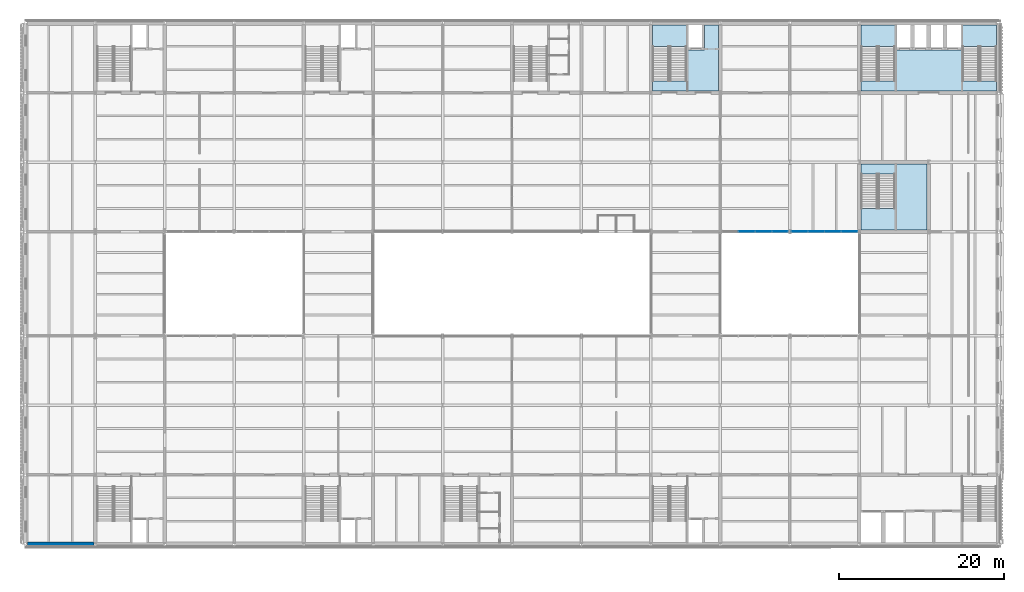
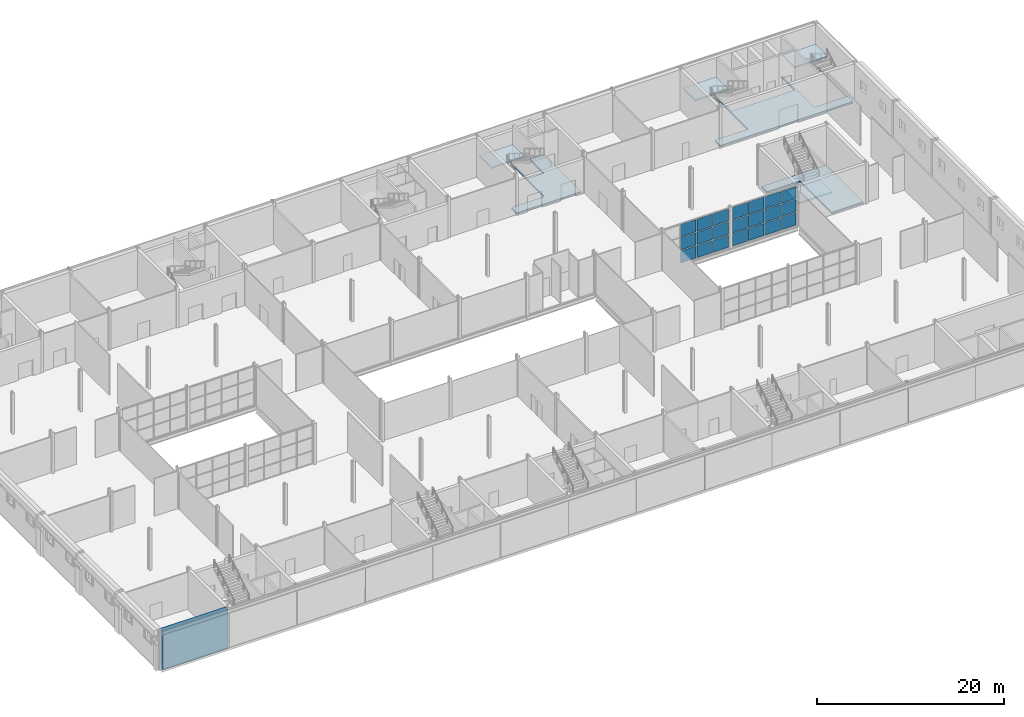
# One storey, part 27 of 57: 21 plates, 7 slabs, 1 wall, 6 elements without a shape of their own.
"""IFC4 building model written with IfcOpenShell, lengths in metres."""

from ifc_helpers import new_model, si_unit, direction, frame, frame_2d, origin, origin_2d, place, context, subcontext, project, spatial, polyline, rectangle, outline, extrude, material, layer, layer_set, type_object, element, aggregate, save


model = new_model("IFC4")

# Units and contexts
model_context = context("Model", 3, precision=1e-05, world=origin(), true_north=direction((0.0, 1.0)))
body_context = subcontext(model_context, "Body", "Model", "MODEL_VIEW")
ifc_project = project(units=[si_unit("LENGTHUNIT", "METRE"), si_unit("AREAUNIT", "SQUARE_METRE"), si_unit("VOLUMEUNIT", "CUBIC_METRE"), si_unit("PLANEANGLEUNIT", "RADIAN"), si_unit("MASSUNIT", "GRAM", prefix="KILO")], contexts=[model_context])

# Site, building, storey
site_placement = place(None, origin())
site = spatial("IfcSite", under=ifc_project, at=site_placement, CompositionType="ELEMENT")
building_placement = place(site_placement, origin())
building = spatial("IfcBuilding", under=site, at=building_placement, Name="Galleria Vessillo Department Store", CompositionType="ELEMENT")
storey_placement = place(building_placement, frame((0.0, 0.0, 25.800048828125)))
storey = spatial("IfcBuildingStorey", under=building, at=storey_placement, Name="L05", CompositionType="ELEMENT", Elevation=25.800048828125)

# Curtain wall, plates
ifc_material_1 = material(Name="Steel and fire-resisting glass curtain wall", Category="steel")
ifc_layer_1 = layer(ifc_material_1, 0.199951171875)
ifc_layer_set_1 = layer_set([ifc_layer_1], Name="Steel and fire-resisting glass curtain wall")
curtain_wall_type = type_object("IfcCurtainWallType", Name="Arcade fire-resisting glazed shopfront EI 120-Sa", PredefinedType="NOTDEFINED", material=ifc_layer_set_1)
curtain_wall_1_placement = place(storey_placement, origin())
curtain_wall_1 = element("IfcCurtainWall", 1, at=curtain_wall_1_placement, inside=storey, type_object=curtain_wall_type, Name="Arcade fire-resisting glazed shopfront EI 120-Sa AI-AE-N-L05-01", PredefinedType="NOTDEFINED")
ifc_material_2 = material(Name="Fire-resisting laminated glass EI 120", Category="glass")
ifc_layer_2 = layer(ifc_material_2, 0.052001953125)
ifc_layer_set_2 = layer_set([ifc_layer_2], Name="Fire-resisting laminated glass EI 120")
plate_type = type_object("IfcPlateType", Name="Fire-resisting glass panel 52 mm EI 120", PredefinedType="CURTAIN_PANEL", material=ifc_layer_set_2)
plate_1_placement = place(storey_placement, frame((87.188232421875, 37.800048828125, 0.10009765625), z_axis=(0.0, 0.0, 1.0), x_axis=(1.0, 0.0, 0.0)))
plate_1 = element("IfcPlate", 2, at=plate_1_placement, type_object=plate_type, Name="CW7 panel 2.1", PredefinedType="CURTAIN_PANEL", context=body_context, shape_type="SweptSolid", body=[
    extrude(rectangle(XDim=1.923095703125, YDim=0.052001953125, at=origin_2d()), origin(), (0.0, 0.0, 1.0), 1.599853515625),
])
plate_2_placement = place(storey_placement, frame((87.188232421875, 37.800048828125, 1.800048828125), z_axis=(0.0, 0.0, 1.0), x_axis=(1.0, 0.0, 0.0)))
plate_2 = element("IfcPlate", 3, at=plate_2_placement, type_object=plate_type, Name="CW7 panel 2.2", PredefinedType="CURTAIN_PANEL", context=body_context, shape_type="SweptSolid", body=[
    extrude(rectangle(XDim=1.923095703125, YDim=0.052001953125, at=origin_2d()), origin(), (0.0, 0.0, 1.0), 1.64990234375),
])
plate_3_placement = place(storey_placement, frame((87.188232421875, 37.800048828125, 3.5498046875), z_axis=(0.0, 0.0, 1.0), x_axis=(1.0, 0.0, 0.0)))
plate_3 = element("IfcPlate", 4, at=plate_3_placement, type_object=plate_type, Name="CW7 panel 2.3", PredefinedType="CURTAIN_PANEL", context=body_context, shape_type="SweptSolid", body=[
    extrude(rectangle(XDim=1.923095703125, YDim=0.052001953125, at=origin_2d()), origin(), (0.0, 0.0, 1.0), 1.60009765625),
])
plate_4_placement = place(storey_placement, frame((89.211669921875, 37.800048828125, 0.10009765625), z_axis=(0.0, 0.0, 1.0), x_axis=(1.0, 0.0, 0.0)))
plate_4 = element("IfcPlate", 5, at=plate_4_placement, type_object=plate_type, Name="CW7 panel 3.1", PredefinedType="CURTAIN_PANEL", context=body_context, shape_type="SweptSolid", body=[
    extrude(rectangle(XDim=1.923095703125, YDim=0.052001953125, at=origin_2d()), origin(), (0.0, 0.0, 1.0), 1.599853515625),
])
plate_5_placement = place(storey_placement, frame((89.211669921875, 37.800048828125, 1.800048828125), z_axis=(0.0, 0.0, 1.0), x_axis=(1.0, 0.0, 0.0)))
plate_5 = element("IfcPlate", 6, at=plate_5_placement, type_object=plate_type, Name="CW7 panel 3.2", PredefinedType="CURTAIN_PANEL", context=body_context, shape_type="SweptSolid", body=[
    extrude(rectangle(XDim=1.923095703125, YDim=0.052001953125, at=origin_2d()), origin(), (0.0, 0.0, 1.0), 1.64990234375),
])
plate_6_placement = place(storey_placement, frame((89.211669921875, 37.800048828125, 3.5498046875), z_axis=(0.0, 0.0, 1.0), x_axis=(1.0, 0.0, 0.0)))
plate_6 = element("IfcPlate", 7, at=plate_6_placement, type_object=plate_type, Name="CW7 panel 3.3", PredefinedType="CURTAIN_PANEL", context=body_context, shape_type="SweptSolid", body=[
    extrude(rectangle(XDim=1.923095703125, YDim=0.052001953125, at=origin_2d()), origin(), (0.0, 0.0, 1.0), 1.60009765625),
])
plate_7_placement = place(storey_placement, frame((91.209716796875, 37.800048828125, 0.10009765625), z_axis=(0.0, 0.0, 1.0), x_axis=(1.0, 0.0, 0.0)))
plate_7 = element("IfcPlate", 8, at=plate_7_placement, type_object=plate_type, Name="CW7 panel 4.1", PredefinedType="CURTAIN_PANEL", context=body_context, shape_type="SweptSolid", body=[
    extrude(rectangle(XDim=1.873291015625, YDim=0.052001953125, at=origin_2d()), origin(), (0.0, 0.0, 1.0), 1.599853515625),
])
plate_8_placement = place(storey_placement, frame((91.209716796875, 37.800048828125, 1.800048828125), z_axis=(0.0, 0.0, 1.0), x_axis=(1.0, 0.0, 0.0)))
plate_8 = element("IfcPlate", 9, at=plate_8_placement, type_object=plate_type, Name="CW7 panel 4.2", PredefinedType="CURTAIN_PANEL", context=body_context, shape_type="SweptSolid", body=[
    extrude(rectangle(XDim=1.873291015625, YDim=0.052001953125, at=origin_2d()), origin(), (0.0, 0.0, 1.0), 1.64990234375),
])
plate_9_placement = place(storey_placement, frame((91.209716796875, 37.800048828125, 3.5498046875), z_axis=(0.0, 0.0, 1.0), x_axis=(1.0, 0.0, 0.0)))
plate_9 = element("IfcPlate", 10, at=plate_9_placement, type_object=plate_type, Name="CW7 panel 4.3", PredefinedType="CURTAIN_PANEL", context=body_context, shape_type="SweptSolid", body=[
    extrude(rectangle(XDim=1.873291015625, YDim=0.052001953125, at=origin_2d()), origin(), (0.0, 0.0, 1.0), 1.60009765625),
])
aggregate(curtain_wall_1, [plate_1, plate_2, plate_3, plate_4, plate_5, plate_6, plate_7, plate_8, plate_9])

curtain_wall_2_placement = place(storey_placement, origin())
curtain_wall_2 = element("IfcCurtainWall", 11, at=curtain_wall_2_placement, inside=storey, type_object=curtain_wall_type, Name="Arcade fire-resisting glazed shopfront EI 120-Sa AI-AE-N-L05-02", PredefinedType="NOTDEFINED")
plate_10_placement = place(storey_placement, frame((93.590087890625, 37.800048828125, 0.10009765625), z_axis=(0.0, 0.0, 1.0), x_axis=(1.0, 0.0, 0.0)))
plate_10 = element("IfcPlate", 12, at=plate_10_placement, type_object=plate_type, Name="CW7 panel 1.1", PredefinedType="CURTAIN_PANEL", context=body_context, shape_type="SweptSolid", body=[
    extrude(rectangle(XDim=1.873291015625, YDim=0.052001953125, at=origin_2d()), origin(), (0.0, 0.0, 1.0), 1.599853515625),
])
plate_11_placement = place(storey_placement, frame((93.590087890625, 37.800048828125, 1.800048828125), z_axis=(0.0, 0.0, 1.0), x_axis=(1.0, 0.0, 0.0)))
plate_11 = element("IfcPlate", 13, at=plate_11_placement, type_object=plate_type, Name="CW7 panel 1.2", PredefinedType="CURTAIN_PANEL", context=body_context, shape_type="SweptSolid", body=[
    extrude(rectangle(XDim=1.873291015625, YDim=0.052001953125, at=origin_2d()), origin(), (0.0, 0.0, 1.0), 1.64990234375),
])
plate_12_placement = place(storey_placement, frame((93.590087890625, 37.800048828125, 3.5498046875), z_axis=(0.0, 0.0, 1.0), x_axis=(1.0, 0.0, 0.0)))
plate_12 = element("IfcPlate", 14, at=plate_12_placement, type_object=plate_type, Name="CW7 panel 1.3", PredefinedType="CURTAIN_PANEL", context=body_context, shape_type="SweptSolid", body=[
    extrude(rectangle(XDim=1.873291015625, YDim=0.052001953125, at=origin_2d()), origin(), (0.0, 0.0, 1.0), 1.60009765625),
])
plate_13_placement = place(storey_placement, frame((95.58837890625, 37.800048828125, 0.10009765625), z_axis=(0.0, 0.0, 1.0), x_axis=(1.0, 0.0, 0.0)))
plate_13 = element("IfcPlate", 15, at=plate_13_placement, type_object=plate_type, Name="CW7 panel 2.1", PredefinedType="CURTAIN_PANEL", context=body_context, shape_type="SweptSolid", body=[
    extrude(rectangle(XDim=1.92333984375, YDim=0.052001953125, at=origin_2d()), origin(), (0.0, 0.0, 1.0), 1.599853515625),
])
plate_14_placement = place(storey_placement, frame((95.58837890625, 37.800048828125, 1.800048828125), z_axis=(0.0, 0.0, 1.0), x_axis=(1.0, 0.0, 0.0)))
plate_14 = element("IfcPlate", 16, at=plate_14_placement, type_object=plate_type, Name="CW7 panel 2.2", PredefinedType="CURTAIN_PANEL", context=body_context, shape_type="SweptSolid", body=[
    extrude(rectangle(XDim=1.92333984375, YDim=0.052001953125, at=origin_2d()), origin(), (0.0, 0.0, 1.0), 1.64990234375),
])
plate_15_placement = place(storey_placement, frame((95.58837890625, 37.800048828125, 3.5498046875), z_axis=(0.0, 0.0, 1.0), x_axis=(1.0, 0.0, 0.0)))
plate_15 = element("IfcPlate", 17, at=plate_15_placement, type_object=plate_type, Name="CW7 panel 2.3", PredefinedType="CURTAIN_PANEL", context=body_context, shape_type="SweptSolid", body=[
    extrude(rectangle(XDim=1.92333984375, YDim=0.052001953125, at=origin_2d()), origin(), (0.0, 0.0, 1.0), 1.60009765625),
])
plate_16_placement = place(storey_placement, frame((97.611572265625, 37.800048828125, 0.10009765625), z_axis=(0.0, 0.0, 1.0), x_axis=(1.0, 0.0, 0.0)))
plate_16 = element("IfcPlate", 18, at=plate_16_placement, type_object=plate_type, Name="CW7 panel 3.1", PredefinedType="CURTAIN_PANEL", context=body_context, shape_type="SweptSolid", body=[
    extrude(rectangle(XDim=1.92333984375, YDim=0.052001953125, at=origin_2d()), origin(), (0.0, 0.0, 1.0), 1.599853515625),
])
plate_17_placement = place(storey_placement, frame((97.611572265625, 37.800048828125, 1.800048828125), z_axis=(0.0, 0.0, 1.0), x_axis=(1.0, 0.0, 0.0)))
plate_17 = element("IfcPlate", 19, at=plate_17_placement, type_object=plate_type, Name="CW7 panel 3.2", PredefinedType="CURTAIN_PANEL", context=body_context, shape_type="SweptSolid", body=[
    extrude(rectangle(XDim=1.92333984375, YDim=0.052001953125, at=origin_2d()), origin(), (0.0, 0.0, 1.0), 1.64990234375),
])
plate_18_placement = place(storey_placement, frame((97.611572265625, 37.800048828125, 3.5498046875), z_axis=(0.0, 0.0, 1.0), x_axis=(1.0, 0.0, 0.0)))
plate_18 = element("IfcPlate", 20, at=plate_18_placement, type_object=plate_type, Name="CW7 panel 3.3", PredefinedType="CURTAIN_PANEL", context=body_context, shape_type="SweptSolid", body=[
    extrude(rectangle(XDim=1.92333984375, YDim=0.052001953125, at=origin_2d()), origin(), (0.0, 0.0, 1.0), 1.60009765625),
])
plate_19_placement = place(storey_placement, frame((99.60986328125, 37.800048828125, 0.10009765625), z_axis=(0.0, 0.0, 1.0), x_axis=(1.0, 0.0, 0.0)))
plate_19 = element("IfcPlate", 21, at=plate_19_placement, type_object=plate_type, Name="CW7 panel 4.1", PredefinedType="CURTAIN_PANEL", context=body_context, shape_type="SweptSolid", body=[
    extrude(rectangle(XDim=1.873291015625, YDim=0.052001953125, at=origin_2d()), origin(), (0.0, 0.0, 1.0), 1.599853515625),
])
plate_20_placement = place(storey_placement, frame((99.60986328125, 37.800048828125, 1.800048828125), z_axis=(0.0, 0.0, 1.0), x_axis=(1.0, 0.0, 0.0)))
plate_20 = element("IfcPlate", 22, at=plate_20_placement, type_object=plate_type, Name="CW7 panel 4.2", PredefinedType="CURTAIN_PANEL", context=body_context, shape_type="SweptSolid", body=[
    extrude(rectangle(XDim=1.873291015625, YDim=0.052001953125, at=origin_2d()), origin(), (0.0, 0.0, 1.0), 1.64990234375),
])
plate_21_placement = place(storey_placement, frame((99.60986328125, 37.800048828125, 3.5498046875), z_axis=(0.0, 0.0, 1.0), x_axis=(1.0, 0.0, 0.0)))
plate_21 = element("IfcPlate", 23, at=plate_21_placement, type_object=plate_type, Name="CW7 panel 4.3", PredefinedType="CURTAIN_PANEL", context=body_context, shape_type="SweptSolid", body=[
    extrude(rectangle(XDim=1.873291015625, YDim=0.052001953125, at=origin_2d()), origin(), (0.0, 0.0, 1.0), 1.60009765625),
])
aggregate(curtain_wall_2, [plate_10, plate_11, plate_12, plate_13, plate_14, plate_15, plate_16, plate_17, plate_18, plate_19, plate_20, plate_21])

# Slabs
ifc_material_3 = material(Name="Concrete C32/40 reinforced", Category="concrete")
ifc_layer_3 = layer(ifc_material_3, 0.219970703125)
ifc_layer_set_3 = layer_set([ifc_layer_3], Name="Concrete C32/40 reinforced")
slab_type_1 = type_object("IfcSlabType", Name="Reinforced concrete core floor slab 220 mm", PredefinedType="FLOOR", material=ifc_layer_set_3)
slab_1_placement = place(storey_placement, frame((0.0, 0.0, -0.219970703125)))
element("IfcSlab", 24, at=slab_1_placement, inside=storey, type_object=slab_type_1, Name="S-SLAB-L05-CORE-PC-NE", PredefinedType="FLOOR", context=body_context, shape_type="SweptSolid", body=[
    extrude(outline(polyline([(83.800048828125, 62.800048828125), (83.800048828125, 54.800048828125), (75.800048828125, 54.800048828125), (75.800048828125, 56.0), (79.89990234375, 56.0), (79.89990234375, 62.800048828125), (80.10009765625, 62.800048828125), (80.10009765625, 59.800048828125), (82.050048828125, 59.800048828125), (82.050048828125, 62.800048828125), (83.800048828125, 62.800048828125)])), origin(), (0.0, 0.0, 1.0), 0.219970703125),
])
slab_2_placement = place(storey_placement, frame((0.0, 0.0, -0.219970703125)))
element("IfcSlab", 25, at=slab_2_placement, inside=storey, type_object=slab_type_1, Name="S-SLAB-L05-CORE-TC", PredefinedType="FLOOR", context=body_context, shape_type="SweptSolid", body=[
    extrude(outline(polyline([(117.400146484375, 54.800048828125), (101.0, 54.800048828125), (101.0, 56.0), (105.10009765625, 56.0), (105.10009765625, 62.800048828125), (105.300048828125, 62.800048828125), (105.300048828125, 59.800048828125), (113.10009765625, 59.800048828125), (113.10009765625, 62.800048828125), (113.300048828125, 62.800048828125), (113.300048828125, 56.0), (117.39990234375, 56.0), (117.39990234375, 62.800048828125), (117.400146484375, 54.800048828125)])), origin(), (0.0, 0.0, 1.0), 0.219970703125),
])
slab_3_placement = place(storey_placement, frame((0.0, 0.0, -0.219970703125)))
element("IfcSlab", 26, at=slab_3_placement, inside=storey, type_object=slab_type_1, Name="S-SLAB-L05-CORE-TS", PredefinedType="FLOOR", context=body_context, shape_type="SweptSolid", body=[
    extrude(outline(polyline([(101.0, 46.0), (109.0, 46.0), (109.0, 38.0), (105.10009765625, 38.0), (105.10009765625, 44.800048828125), (101.0, 44.800048828125), (101.0, 46.0)])), origin(), (0.0, 0.0, 1.0), 0.219970703125),
])

# Stair, slab
ifc_material_4 = material(Name="Concrete C32/40", Category="concrete")
stair_type = type_object("IfcStairType", Name="Half-turn escape stair 2000 mm, 32 risers of 169 mm", PredefinedType="HALF_TURN_STAIR", material=ifc_material_4)
stair_1_placement = place(storey_placement, origin())
stair_1 = element("IfcStair", 27, at=stair_1_placement, inside=storey, type_object=stair_type, Name="Stair ST6 L05", PredefinedType="HALF_TURN_STAIR")
ifc_material_5 = material(Name="Concrete C32/40", Category="concrete")
ifc_layer_4 = layer(ifc_material_5, 0.199951171875)
ifc_layer_set_4 = layer_set([ifc_layer_4], Name="Concrete C32/40")
slab_type_2 = type_object("IfcSlabType", Name="Stair half landing 4100 x 2600 mm", PredefinedType="LANDING", material=ifc_layer_set_4)
slab_4_placement = place(storey_placement, frame((0.0, 0.0, 2.5)))
slab_4 = element("IfcSlab", 28, at=slab_4_placement, type_object=slab_type_2, Name="ST6 landing 1", PredefinedType="LANDING", context=body_context, shape_type="SweptSolid", body=[
    extrude(outline(polyline([(75.800048828125, 60.199951171875), (75.800048828125, 62.800048828125), (79.900146484375, 62.800048828125), (79.900146484375, 60.199951171875), (75.800048828125, 60.199951171875)])), origin(), (0.0, 0.0, 1.0), 0.199951171875),
])
aggregate(stair_1, [slab_4])

stair_2_placement = place(storey_placement, origin())
stair_2 = element("IfcStair", 29, at=stair_2_placement, inside=storey, type_object=stair_type, Name="Stair ST8 L05", PredefinedType="HALF_TURN_STAIR")
slab_5_placement = place(storey_placement, frame((0.0, 0.0, 2.5)))
slab_5 = element("IfcSlab", 30, at=slab_5_placement, type_object=slab_type_2, Name="ST8 landing 1", PredefinedType="LANDING", context=body_context, shape_type="SweptSolid", body=[
    extrude(outline(polyline([(101.0, 60.199951171875), (101.0, 62.800048828125), (105.10009765625, 62.800048828125), (105.10009765625, 60.199951171875), (101.0, 60.199951171875)])), origin(), (0.0, 0.0, 1.0), 0.199951171875),
])
aggregate(stair_2, [slab_5])

stair_3_placement = place(storey_placement, origin())
stair_3 = element("IfcStair", 31, at=stair_3_placement, inside=storey, type_object=stair_type, Name="Stair ST9 L05", PredefinedType="HALF_TURN_STAIR")
slab_6_placement = place(storey_placement, frame((0.0, 0.0, 2.5)))
slab_6 = element("IfcSlab", 32, at=slab_6_placement, type_object=slab_type_2, Name="ST9 landing 1", PredefinedType="LANDING", context=body_context, shape_type="SweptSolid", body=[
    extrude(outline(polyline([(113.300048828125, 60.199951171875), (113.300048828125, 62.800048828125), (117.400146484375, 62.800048828125), (117.400146484375, 60.199951171875), (113.300048828125, 60.199951171875)])), origin(), (0.0, 0.0, 1.0), 0.199951171875),
])
aggregate(stair_3, [slab_6])

stair_4_placement = place(storey_placement, origin())
stair_4 = element("IfcStair", 33, at=stair_4_placement, inside=storey, type_object=stair_type, Name="Stair ST12 L05", PredefinedType="HALF_TURN_STAIR")
slab_7_placement = place(storey_placement, frame((0.0, 0.0, 2.5)))
slab_7 = element("IfcSlab", 34, at=slab_7_placement, type_object=slab_type_2, Name="ST12 landing 1", PredefinedType="LANDING", context=body_context, shape_type="SweptSolid", body=[
    extrude(outline(polyline([(101.0, 38.0), (101.0, 40.60009765625), (105.10009765625, 40.60009765625), (105.10009765625, 38.0), (101.0, 38.0)])), origin(), (0.0, 0.0, 1.0), 0.199951171875),
])
aggregate(stair_4, [slab_7])

# Wall
ifc_material_6 = material(Name="Concrete C32/40 reinforced", Category="concrete")
ifc_layer_5 = layer(ifc_material_6, 0.5)
ifc_layer_set_5 = layer_set([ifc_layer_5], Name="Concrete C32/40 reinforced")
wall_type = type_object("IfcWallType", Name="Reinforced concrete party wall 500 mm", PredefinedType="SHEAR", material=ifc_layer_set_5)
wall_placement = place(storey_placement, frame((0.199951171875, 0.0, 0.0), z_axis=(0.0, 0.0, 1.0), x_axis=(1.0, 0.0, 0.0)))
element("IfcWall", 35, at=wall_placement, inside=storey, type_object=wall_type, Name="S-PS-L05-01", PredefinedType="SHEAR", context=body_context, shape_type="SweptSolid", body=[
    extrude(rectangle(XDim=8.050048828125, YDim=0.5, at=frame_2d((4.02490234375, 0.0))), origin(), (0.0, 0.0, 1.0), 5.199951171875),
])

save(model, "model.ifc")
